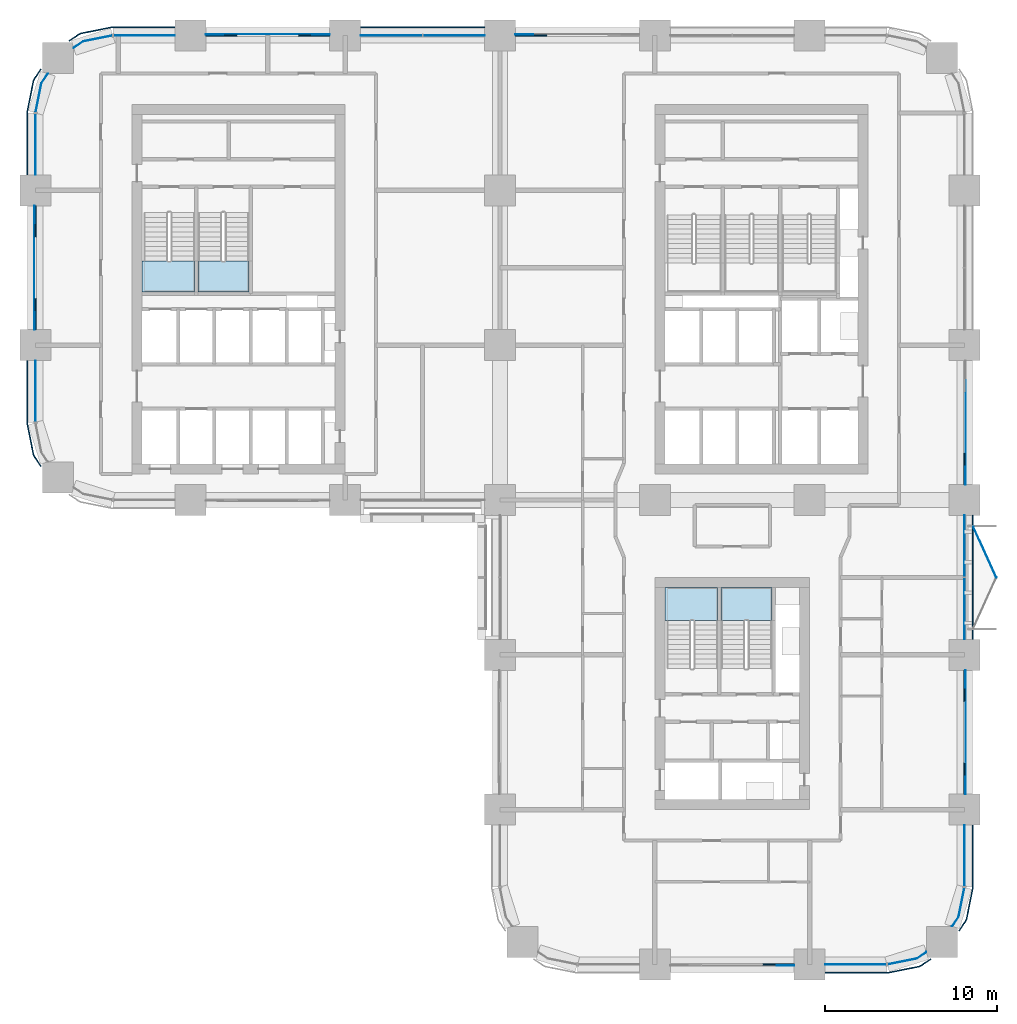
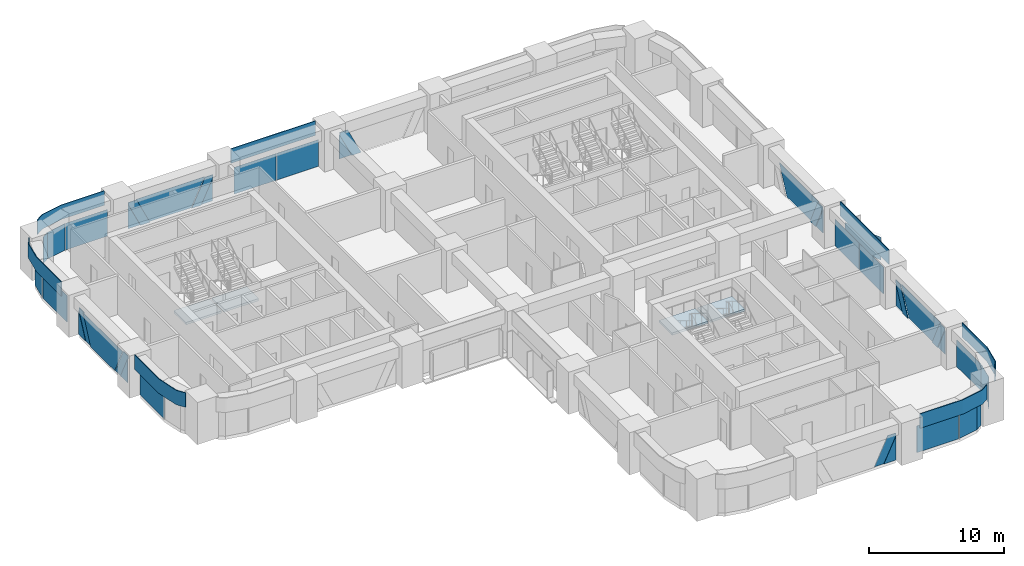
# One storey, part 10 of 18: 43 plates, 4 slabs, 17 elements without a shape of their own.
"""IFC4 building model written with IfcOpenShell, lengths in metres."""

import ifcopenshell
import ifcopenshell.guid

model = None  # the IFC model being written
_history = None  # IfcOwnerHistory: only IFC2X3 demands one
_inside = {}  # id of a spatial element -> (the spatial element, [elements in it])
_under = {}  # id of a project, library or spatial element -> (it, [spatial elements below it])
_declared = {}  # id of a project -> (the project, [libraries it declares])
_typed = {}  # id of a type object -> (the type object, [elements of that type])
_made_of = {}  # id of a material, layer set ... -> (it, [elements and type objects made of it])


def new_model(schema):
    """Start an empty IFC model of exactly this schema.

    Asked for "IFC4X3", IfcOpenShell would pick the latest addendum, in which some entities
    have other attributes; the version numbers below select the first issue.
    IFC2X3 requires an IfcOwnerHistory on every rooted entity: one is made here for all.
    """
    global model, _history
    if schema == "IFC4X3":
        model = ifcopenshell.file(schema_version=(4, 3, 0, 0))
    else:
        model = ifcopenshell.file(schema=schema)
    _inside.clear()
    _under.clear()
    _declared.clear()
    _typed.clear()
    _made_of.clear()
    _history = None
    if model.schema == "IFC2X3":
        org = make("IfcOrganization", Name="unknown")
        user = make(
            "IfcPersonAndOrganization",
            ThePerson=make("IfcPerson", FamilyName="unknown"),
            TheOrganization=org,
        )
        app = make(
            "IfcApplication",
            ApplicationDeveloper=org,
            Version="unknown",
            ApplicationFullName="unknown",
            ApplicationIdentifier="unknown",
        )
        _history = make(
            "IfcOwnerHistory",
            OwningUser=user,
            OwningApplication=app,
            ChangeAction="ADDED",
            CreationDate=0,
        )
    return model


def make(cls, **values):
    """One entity of the class cls with the attributes given. An attribute that is None is left unset."""
    return model.create_entity(
        cls, **{name: value for name, value in values.items() if value is not None}
    )


def rooted(cls, **values):
    """An entity with a GlobalId (a new one), such as an element, a storey or a relation."""
    return make(cls, GlobalId=ifcopenshell.guid.new(), OwnerHistory=_history, **values)


def si_unit(unit_type, name, prefix=None):
    """IfcSIUnit, for example si_unit("LENGTHUNIT", "METRE", prefix="MILLI")."""
    return make("IfcSIUnit", UnitType=unit_type, Prefix=prefix, Name=name)


def assignment(units):
    """IfcUnitAssignment: the units of a project."""
    return None if units is None else make("IfcUnitAssignment", Units=units)


def point(xyz):
    """IfcCartesianPoint."""
    return None if xyz is None else make("IfcCartesianPoint", Coordinates=xyz)


def direction(xyz):
    """IfcDirection."""
    return None if xyz is None else make("IfcDirection", DirectionRatios=xyz)


def frame(location, z_axis=None, x_axis=None):
    """IfcAxis2Placement3D, a coordinate frame: its origin and axes. An axis left out is left unset."""
    return make(
        "IfcAxis2Placement3D",
        Location=point(location),
        Axis=direction(z_axis),
        RefDirection=direction(x_axis),
    )


def frame_2d(location, x_axis=None):
    """IfcAxis2Placement2D, a coordinate frame in the plane: its origin and x axis."""
    return make(
        "IfcAxis2Placement2D", Location=point(location), RefDirection=direction(x_axis)
    )


def origin():
    """The frame at (0, 0, 0) with its axes left unset."""
    return frame((0.0, 0.0, 0.0))


def origin_2d():
    """The frame at (0, 0) in the plane with its x axis left unset."""
    return frame_2d((0.0, 0.0))


def place(relative_to, where):
    """IfcLocalPlacement: puts the frame where relative to a parent placement (None: the world)."""
    return make(
        "IfcLocalPlacement", PlacementRelTo=relative_to, RelativePlacement=where
    )


def context(
    kind, dimensions, precision=None, world=None, true_north=None, identifier=None
):
    """IfcGeometricRepresentationContext, for example the 3D "Model" context."""
    return make(
        "IfcGeometricRepresentationContext",
        ContextIdentifier=identifier,
        ContextType=kind,
        CoordinateSpaceDimension=dimensions,
        Precision=precision,
        WorldCoordinateSystem=world,
        TrueNorth=true_north,
    )


def subcontext(parent, identifier, kind, view, scale=None):
    """IfcGeometricRepresentationSubContext, for example "Body" below "Model"."""
    return make(
        "IfcGeometricRepresentationSubContext",
        ContextIdentifier=identifier,
        ContextType=kind,
        ParentContext=parent,
        TargetScale=scale,
        TargetView=view,
    )


def project(units=None, contexts=None):
    """IfcProject with its units and contexts."""
    return rooted(
        "IfcProject",
        Name="project",
        RepresentationContexts=contexts,
        UnitsInContext=assignment(units),
    )


def spatial(cls, under=None, at=None, **own):
    """A site, building, storey or space (cls), placed at a placement, below another one or the project."""
    s = rooted(cls, ObjectPlacement=at, **own)
    if under is not None:
        _under.setdefault(under.id(), (under, []))[1].append(s)
    return s


def polyline(points):
    """IfcPolyline through the points."""
    return make("IfcPolyline", Points=[point(p) for p in points])


def profile(cls, at=None, kind="AREA", **sizes):
    """A parametric profile (cls). Its sizes go by their IFC names, for example OverallWidth=200.0."""
    return make(cls, ProfileType=kind, Position=at, **sizes)


def rectangle(**sizes):
    """IfcRectangleProfileDef."""
    return profile("IfcRectangleProfileDef", **sizes)


def outline(outer, holes=None, kind="AREA"):
    """IfcArbitraryClosedProfileDef: a profile drawn as a closed curve; with holes, ...WithVoids."""
    if holes is None:
        return make("IfcArbitraryClosedProfileDef", ProfileType=kind, OuterCurve=outer)
    return make(
        "IfcArbitraryProfileDefWithVoids",
        ProfileType=kind,
        OuterCurve=outer,
        InnerCurves=holes,
    )


def extrude(swept, where, along, depth):
    """IfcExtrudedAreaSolid: the profile swept, set in the frame where, extruded along a direction by depth."""
    return make(
        "IfcExtrudedAreaSolid",
        SweptArea=swept,
        Position=where,
        ExtrudedDirection=direction(along),
        Depth=depth,
    )


def shape(context_of_items, identifier, shape_type, items):
    """IfcShapeRepresentation: the items that make up one representation, for example the "Body"."""
    return make(
        "IfcShapeRepresentation",
        ContextOfItems=context_of_items,
        RepresentationIdentifier=identifier,
        RepresentationType=shape_type,
        Items=items,
    )


def material(Name=None, Category=None):
    """IfcMaterial."""
    return make("IfcMaterial", Name=Name, Category=Category)


def layer(
    of_material, thickness, ventilated=None, Name=None, Category=None, Priority=None
):
    """IfcMaterialLayer: one layer of a wall or slab, of a material (None: an air gap)."""
    return make(
        "IfcMaterialLayer",
        Material=of_material,
        LayerThickness=thickness,
        IsVentilated=ventilated,
        Name=Name,
        Category=Category,
        Priority=Priority,
    )


def layer_set(layers, Name=None):
    """IfcMaterialLayerSet."""
    return make("IfcMaterialLayerSet", MaterialLayers=layers, LayerSetName=Name)


def made_of(thing, what):
    """Note that an element or type object is made of a material, layer set ...; save() writes the relation."""
    if what is not None:
        _made_of.setdefault(what.id(), (what, []))[1].append(thing)
    return thing


def type_object(cls, material=None, **own):
    """A type object (cls), such as IfcWallType, which elements share."""
    return made_of(rooted(cls, **own), material)


def element(
    cls,
    number,
    at=None,
    inside=None,
    cuts=None,
    type_object=None,
    material=None,
    context=None,
    identifier="Body",
    shape_type=None,
    held_by="IfcProductDefinitionShape",
    body=None,
    shapes=None,
    **own,
):
    """One element of the class cls, such as IfcWall. Its Tag is "e" and its number.

    at: its placement. inside: the storey or other place that contains it. cuts: it is an
    opening in that element (IfcRelVoidsElement). A single representation is given by context,
    identifier, shape_type and body (its items); several are given by shapes. held_by: the class
    of the entity that holds the representations. save() writes the other relations.
    """
    e = rooted(cls, Tag="e%d" % number, ObjectPlacement=at, **own)
    if body is not None:
        shapes = [shape(context, identifier, shape_type, body)]
    if shapes is not None:
        e.Representation = make(held_by, Representations=shapes)
    if inside is not None:
        _inside.setdefault(inside.id(), (inside, []))[1].append(e)
    if cuts is not None:
        rooted(
            "IfcRelVoidsElement", RelatingBuildingElement=cuts, RelatedOpeningElement=e
        )
    if type_object is not None:
        _typed.setdefault(type_object.id(), (type_object, []))[1].append(e)
    return made_of(e, material)


def aggregate(whole, parts):
    """IfcRelAggregates: a whole, such as a stair, and the parts it consists of."""
    return rooted("IfcRelAggregates", RelatingObject=whole, RelatedObjects=parts)


def save(model, path):
    """Write the relations noted so far, then the file.

    IfcRelAggregates (storeys below a building ...), IfcRelContainedInSpatialStructure (elements
    in a storey), IfcRelDefinesByType, IfcRelAssociatesMaterial and IfcRelDeclares: one each for
    every whole, place, type object, material and project.
    """
    for whole, parts in _under.values():
        aggregate(whole, parts)
    for where, things in _inside.values():
        rooted(
            "IfcRelContainedInSpatialStructure",
            RelatedElements=things,
            RelatingStructure=where,
        )
    for kind, things in _typed.values():
        rooted("IfcRelDefinesByType", RelatedObjects=things, RelatingType=kind)
    for what, things in _made_of.values():
        rooted("IfcRelAssociatesMaterial", RelatedObjects=things, RelatingMaterial=what)
    for by, libraries in _declared.values():
        rooted("IfcRelDeclares", RelatingContext=by, RelatedDefinitions=libraries)
    model.write(path)


model = new_model("IFC4")

# Units and contexts
model_context = context("Model", 3, precision=1e-05, world=origin(), true_north=direction((0.0, 1.0)))
body_context = subcontext(model_context, "Body", "Model", "MODEL_VIEW")
ifc_project = project(units=[si_unit("LENGTHUNIT", "METRE"), si_unit("AREAUNIT", "SQUARE_METRE"), si_unit("VOLUMEUNIT", "CUBIC_METRE"), si_unit("PLANEANGLEUNIT", "RADIAN"), si_unit("MASSUNIT", "GRAM", prefix="KILO")], contexts=[model_context])

# Site, building, storey
site_placement = place(None, origin())
site = spatial("IfcSite", under=ifc_project, at=site_placement, CompositionType="ELEMENT")
building_placement = place(site_placement, origin())
building = spatial("IfcBuilding", under=site, at=building_placement, Name="Tessera Arch", CompositionType="ELEMENT")
storey_placement = place(building_placement, frame((0.0, 0.0, 104.39990234375)))
storey = spatial("IfcBuildingStorey", under=building, at=storey_placement, Name="L24", CompositionType="ELEMENT", Elevation=104.39990234375)

# Curtain wall, plates
ifc_material_1 = material(Name="CW1 curtain wall")
curtain_wall_type_1 = type_object("IfcCurtainWallType", Name="CW1 curtain wall", PredefinedType="NOTDEFINED", material=ifc_material_1)
curtain_wall_1_placement = place(storey_placement, origin())
curtain_wall_1 = element("IfcCurtainWall", 1, at=curtain_wall_1_placement, inside=storey, type_object=curtain_wall_type_1, Name="CW1 curtain wall N54.0/2 L24", PredefinedType="NOTDEFINED")
ifc_material_2 = material(Name="Clear low-e glass", Category="glass")
ifc_material_3 = material(Name="Clear low-e glass", Category="glass")
ifc_layer_1 = layer(ifc_material_3, 0.028076171875)
ifc_layer_set_1 = layer_set([ifc_layer_1], Name="CW1 glass panel")
plate_type_1 = type_object("IfcPlateType", Name="CW1 glass panel", PredefinedType="CURTAIN_PANEL", material=ifc_layer_set_1)
plate_1_placement = place(storey_placement, frame((24.31494140625, 54.0, 0.000244140625), z_axis=(0.0, 0.0, 1.0), x_axis=(-1.0, 0.0, 0.0)))
plate_1 = element("IfcPlate", 2, at=plate_1_placement, type_object=plate_type_1, material=ifc_material_2, Name="CW1 glass panel N54.0/2 1.1.1", PredefinedType="CURTAIN_PANEL", context=body_context, shape_type="SweptSolid", body=[
    extrude(rectangle(XDim=3.570068359375, YDim=0.028076171875, at=origin_2d()), origin(), (0.0, 0.0, 1.0), 2.39990234375),
])
plate_2_placement = place(storey_placement, frame((20.68505859375, 54.0, 0.000244140625), z_axis=(0.0, 0.0, 1.0), x_axis=(-1.0, 0.0, 0.0)))
plate_2 = element("IfcPlate", 3, at=plate_2_placement, type_object=plate_type_1, material=ifc_material_2, Name="CW1 glass panel N54.0/2 1.2.1", PredefinedType="CURTAIN_PANEL", context=body_context, shape_type="SweptSolid", body=[
    extrude(rectangle(XDim=3.570068359375, YDim=0.028076171875, at=origin_2d()), origin(), (0.0, 0.0, 1.0), 2.39990234375),
])

curtain_wall_2_placement = place(storey_placement, origin())
curtain_wall_2 = element("IfcCurtainWall", 4, at=curtain_wall_2_placement, inside=storey, type_object=curtain_wall_type_1, Name="CW1 curtain wall E54.0/2 L24", PredefinedType="NOTDEFINED")
plate_3_placement = place(storey_placement, frame((54.0, 20.68505859375, 0.000244140625), z_axis=(0.0, 0.0, 1.0), x_axis=(0.0, 1.0, 0.0)))
plate_3 = element("IfcPlate", 5, at=plate_3_placement, type_object=plate_type_1, material=ifc_material_2, Name="CW1 glass panel E54.0/2 1.1.1", PredefinedType="CURTAIN_PANEL", context=body_context, shape_type="SweptSolid", body=[
    extrude(rectangle(XDim=3.570068359375, YDim=0.028076171875, at=origin_2d()), origin(), (0.0, 0.0, 1.0), 2.39990234375),
])
plate_4_placement = place(storey_placement, frame((54.0, 24.31494140625, 0.000244140625), z_axis=(0.0, 0.0, 1.0), x_axis=(0.0, 1.0, 0.0)))
plate_4 = element("IfcPlate", 6, at=plate_4_placement, type_object=plate_type_1, material=ifc_material_2, Name="CW1 glass panel E54.0/2 1.2.1", PredefinedType="CURTAIN_PANEL", context=body_context, shape_type="SweptSolid", body=[
    extrude(rectangle(XDim=3.570068359375, YDim=0.028076171875, at=origin_2d()), origin(), (0.0, 0.0, 1.0), 2.39990234375),
])

# Plate
ifc_material_4 = material(Name="Pale anodised aluminium panel", Category="aluminium")
ifc_layer_2 = layer(ifc_material_4, 0.06005859375)
ifc_layer_set_2 = layer_set([ifc_layer_2], Name="CW1 spandrel panel")
plate_type_2 = type_object("IfcPlateType", Name="CW1 spandrel panel", PredefinedType="CURTAIN_PANEL", material=ifc_layer_set_2)
plate_5_placement = place(storey_placement, frame((22.5, 54.47998046875, 2.5), z_axis=(0.0, 0.0, 1.0), x_axis=(-1.0, 0.0, 0.0)))
plate_5 = element("IfcPlate", 7, at=plate_5_placement, type_object=plate_type_2, Name="CW1 spandrel panel N54.0/2", PredefinedType="CURTAIN_PANEL", context=body_context, shape_type="SweptSolid", body=[
    extrude(rectangle(XDim=7.199951171875, YDim=0.06005859375, at=origin_2d()), origin(), (0.0, 0.0, 1.0), 1.300048828125),
])

aggregate(curtain_wall_1, [plate_1, plate_2, plate_5])

plate_6_placement = place(storey_placement, frame((54.47998046875, 22.5, 2.5), z_axis=(0.0, 0.0, 1.0), x_axis=(0.0, 1.0, 0.0)))
plate_6 = element("IfcPlate", 8, at=plate_6_placement, type_object=plate_type_2, Name="CW1 spandrel panel E54.0/2", PredefinedType="CURTAIN_PANEL", context=body_context, shape_type="SweptSolid", body=[
    extrude(rectangle(XDim=7.199951171875, YDim=0.06005859375, at=origin_2d()), origin(), (0.0, 0.0, 1.0), 1.300048828125),
])

aggregate(curtain_wall_2, [plate_3, plate_4, plate_6])

# Curtain wall, plates
ifc_material_5 = material(Name="CW2 curtain wall")
curtain_wall_type_2 = type_object("IfcCurtainWallType", Name="CW2 curtain wall", PredefinedType="NOTDEFINED", material=ifc_material_5)
curtain_wall_3_placement = place(storey_placement, origin())
curtain_wall_3 = element("IfcCurtainWall", 9, at=curtain_wall_3_placement, inside=storey, type_object=curtain_wall_type_2, Name="CW2 curtain wall N54.0/4 L24", PredefinedType="NOTDEFINED")
ifc_material_6 = material(Name="Clear low-e glass", Category="glass")
ifc_layer_3 = layer(ifc_material_6, 0.028076171875)
ifc_layer_set_3 = layer_set([ifc_layer_3], Name="CW2 glass panel")
plate_type_3 = type_object("IfcPlateType", Name="CW2 glass panel", PredefinedType="CURTAIN_PANEL", material=ifc_layer_set_3)
plate_7_placement = place(storey_placement, frame((6.320068359375, 54.0, 0.000244140625), z_axis=(0.0, 0.0, 1.0), x_axis=(-1.0, 0.0, 0.0)))
plate_7 = element("IfcPlate", 10, at=plate_7_placement, type_object=plate_type_3, material=ifc_material_2, Name="CW2 glass panel N54.0/4 1.1", PredefinedType="CURTAIN_PANEL", context=body_context, shape_type="SweptSolid", body=[
    extrude(rectangle(XDim=3.56005859375, YDim=0.028076171875, at=origin_2d()), origin(), (0.0, 0.0, 1.0), 2.39990234375),
])
plate_8_placement = place(storey_placement, origin())
plate_8 = element("IfcPlate", 11, at=plate_8_placement, type_object=plate_type_3, material=ifc_material_2, Name="CW2 curved glass panel N54.0/4 2.1", PredefinedType="CURTAIN_PANEL", context=body_context, shape_type="SweptSolid", body=[
    extrude(outline(polyline([(2.783447265625, 53.644287109375), (4.46337890625, 53.978515625), (4.4580078125, 54.005859375), (2.7724609375, 53.670654296875), (2.210205078125, 53.294921875), (2.225830078125, 53.271728515625), (2.783447265625, 53.644287109375)])), origin(), (0.0, 0.0, 1.0), 2.400146484375),
])

curtain_wall_4_placement = place(storey_placement, origin())
curtain_wall_4 = element("IfcCurtainWall", 12, at=curtain_wall_4_placement, inside=storey, type_object=curtain_wall_type_2, Name="CW2 curtain wall W0.27/0 L24", PredefinedType="NOTDEFINED")
plate_9_placement = place(storey_placement, frame((0.0, 47.679931640625, 0.000244140625), z_axis=(0.0, 0.0, 1.0), x_axis=(0.0, -1.0, 0.0)))
plate_9 = element("IfcPlate", 13, at=plate_9_placement, type_object=plate_type_3, material=ifc_material_2, Name="CW2 glass panel W0.27/0 1.1", PredefinedType="CURTAIN_PANEL", context=body_context, shape_type="SweptSolid", body=[
    extrude(rectangle(XDim=3.56005859375, YDim=0.028076171875, at=origin_2d()), origin(), (0.0, 0.0, 1.0), 2.39990234375),
])
plate_10_placement = place(storey_placement, origin())
plate_10 = element("IfcPlate", 14, at=plate_10_placement, type_object=plate_type_3, material=ifc_material_2, Name="CW2 curved glass panel W0.27/0 2.1", PredefinedType="CURTAIN_PANEL", context=body_context, shape_type="SweptSolid", body=[
    extrude(outline(polyline([(0.355712890625, 51.216552734375), (0.728271484375, 51.774169921875), (0.705078125, 51.789794921875), (0.329345703125, 51.2275390625), (-0.005859375, 49.5419921875), (0.021484375, 49.53662109375), (0.355712890625, 51.216552734375)])), origin(), (0.0, 0.0, 1.0), 2.400146484375),
])

# Curtain wall, plate
curtain_wall_5_placement = place(storey_placement, origin())
curtain_wall_5 = element("IfcCurtainWall", 15, at=curtain_wall_5_placement, inside=storey, type_object=curtain_wall_type_2, Name="CW2 curtain wall W0.27/2 L24", PredefinedType="NOTDEFINED")
plate_11_placement = place(storey_placement, frame((0.0, 33.320068359375, 0.000244140625), z_axis=(0.0, 0.0, 1.0), x_axis=(0.0, -1.0, 0.0)))
plate_11 = element("IfcPlate", 16, at=plate_11_placement, type_object=plate_type_3, material=ifc_material_2, Name="CW2 glass panel W0.27/2 1.1", PredefinedType="CURTAIN_PANEL", context=body_context, shape_type="SweptSolid", body=[
    extrude(rectangle(XDim=3.56005859375, YDim=0.028076171875, at=origin_2d()), origin(), (0.0, 0.0, 1.0), 2.39990234375),
])

# Curtain wall, plates
curtain_wall_6_placement = place(storey_placement, origin())
curtain_wall_6 = element("IfcCurtainWall", 17, at=curtain_wall_6_placement, inside=storey, type_object=curtain_wall_type_2, Name="CW2 curtain wall S0.27/2 L24", PredefinedType="NOTDEFINED")
plate_12_placement = place(storey_placement, frame((47.679931640625, 0.0, 0.000244140625), z_axis=(0.0, 0.0, 1.0), x_axis=(1.0, 0.0, 0.0)))
plate_12 = element("IfcPlate", 18, at=plate_12_placement, type_object=plate_type_3, material=ifc_material_2, Name="CW2 glass panel S0.27/2 1.1", PredefinedType="CURTAIN_PANEL", context=body_context, shape_type="SweptSolid", body=[
    extrude(rectangle(XDim=3.56005859375, YDim=0.028076171875, at=origin_2d()), origin(), (0.0, 0.0, 1.0), 2.39990234375),
])
plate_13_placement = place(storey_placement, origin())
plate_13 = element("IfcPlate", 19, at=plate_13_placement, type_object=plate_type_3, material=ifc_material_2, Name="CW2 curved glass panel S0.27/2 2.1", PredefinedType="CURTAIN_PANEL", context=body_context, shape_type="SweptSolid", body=[
    extrude(outline(polyline([(51.216552734375, 0.355712890625), (49.53662109375, 0.021484375), (49.5419921875, -0.005859375), (51.2275390625, 0.329345703125), (51.789794921875, 0.705078125), (51.774169921875, 0.728271484375), (51.216552734375, 0.355712890625)])), origin(), (0.0, 0.0, 1.0), 2.400146484375),
])

curtain_wall_7_placement = place(storey_placement, origin())
curtain_wall_7 = element("IfcCurtainWall", 20, at=curtain_wall_7_placement, inside=storey, type_object=curtain_wall_type_2, Name="CW2 curtain wall E54.0/0 L24", PredefinedType="NOTDEFINED")
plate_14_placement = place(storey_placement, frame((54.0, 6.320068359375, 0.000244140625), z_axis=(0.0, 0.0, 1.0), x_axis=(0.0, 1.0, 0.0)))
plate_14 = element("IfcPlate", 21, at=plate_14_placement, type_object=plate_type_3, material=ifc_material_2, Name="CW2 glass panel E54.0/0 1.1", PredefinedType="CURTAIN_PANEL", context=body_context, shape_type="SweptSolid", body=[
    extrude(rectangle(XDim=3.56005859375, YDim=0.028076171875, at=origin_2d()), origin(), (0.0, 0.0, 1.0), 2.39990234375),
])
plate_15_placement = place(storey_placement, origin())
plate_15 = element("IfcPlate", 22, at=plate_15_placement, type_object=plate_type_3, material=ifc_material_2, Name="CW2 curved glass panel E54.0/0 2.1", PredefinedType="CURTAIN_PANEL", context=body_context, shape_type="SweptSolid", body=[
    extrude(outline(polyline([(53.644287109375, 2.783447265625), (53.271728515625, 2.225830078125), (53.294921875, 2.210205078125), (53.670654296875, 2.7724609375), (54.005859375, 4.4580078125), (53.978515625, 4.46337890625), (53.644287109375, 2.783447265625)])), origin(), (0.0, 0.0, 1.0), 2.400146484375),
])

# Plate
ifc_material_7 = material(Name="Pale anodised aluminium panel", Category="aluminium")
ifc_layer_4 = layer(ifc_material_7, 0.06005859375)
ifc_layer_set_4 = layer_set([ifc_layer_4], Name="CW2 spandrel panel")
plate_type_4 = type_object("IfcPlateType", Name="CW2 spandrel panel", PredefinedType="CURTAIN_PANEL", material=ifc_layer_set_4)
plate_16_placement = place(storey_placement, frame((0.0, 0.0, 2.5)))
plate_16 = element("IfcPlate", 23, at=plate_16_placement, type_object=plate_type_4, Name="CW2 spandrel panel N54.0/4", PredefinedType="CURTAIN_PANEL", context=body_context, shape_type="SweptSolid", body=[
    extrude(outline(polyline([(4.500732421875, 54.449951171875), (8.10009765625, 54.449951171875), (8.10009765625, 54.510009765625), (4.499267578125, 54.510009765625), (4.449951171875, 54.507568359375), (4.401123046875, 54.500244140625), (2.677734375, 54.157470703125), (2.6298828125, 54.1455078125), (2.582763671875, 54.128662109375), (2.537353515625, 54.107177734375), (2.4951171875, 54.08203125), (1.9345703125, 53.707275390625), (1.968017578125, 53.657470703125), (2.52734375, 54.03125), (2.565673828125, 54.05419921875), (2.605712890625, 54.0732421875), (2.647216796875, 54.088134765625), (2.69091796875, 54.09912109375), (4.411376953125, 54.441162109375), (4.455810546875, 54.44775390625), (4.500732421875, 54.449951171875)])), origin(), (0.0, 0.0, 1.0), 1.300048828125),
])

aggregate(curtain_wall_3, [plate_7, plate_8, plate_16])

plate_17_placement = place(storey_placement, frame((0.0, 0.0, 2.5)))
plate_17 = element("IfcPlate", 24, at=plate_17_placement, type_object=plate_type_4, Name="CW2 spandrel panel W0.27/0", PredefinedType="CURTAIN_PANEL", context=body_context, shape_type="SweptSolid", body=[
    extrude(outline(polyline([(-0.03125, 51.47265625), (0.342529296875, 52.031982421875), (0.292724609375, 52.0654296875), (-0.08203125, 51.5048828125), (-0.107177734375, 51.462646484375), (-0.128662109375, 51.417236328125), (-0.1455078125, 51.3701171875), (-0.157470703125, 51.322265625), (-0.500244140625, 49.598876953125), (-0.507568359375, 49.550048828125), (-0.510009765625, 49.500732421875), (-0.510009765625, 45.89990234375), (-0.449951171875, 45.89990234375), (-0.449951171875, 49.499267578125), (-0.44775390625, 49.544189453125), (-0.441162109375, 49.588623046875), (-0.09912109375, 51.30908203125), (-0.088134765625, 51.352783203125), (-0.0732421875, 51.394287109375), (-0.05419921875, 51.434326171875), (-0.03125, 51.47265625)])), origin(), (0.0, 0.0, 1.0), 1.300048828125),
])

aggregate(curtain_wall_4, [plate_9, plate_10, plate_17])

plate_18_placement = place(storey_placement, frame((0.0, 0.0, 2.5)))
plate_18 = element("IfcPlate", 25, at=plate_18_placement, type_object=plate_type_4, Name="CW2 spandrel panel W0.27/2", PredefinedType="CURTAIN_PANEL", context=body_context, shape_type="SweptSolid", body=[
    extrude(outline(polyline([(-0.449951171875, 31.500732421875), (-0.449951171875, 35.10009765625), (-0.510009765625, 35.10009765625), (-0.510009765625, 31.499267578125), (-0.507568359375, 31.449951171875), (-0.500244140625, 31.401123046875), (-0.157470703125, 29.677734375), (-0.1455078125, 29.6298828125), (-0.128662109375, 29.582763671875), (-0.107177734375, 29.537353515625), (-0.08203125, 29.4951171875), (0.292724609375, 28.9345703125), (0.342529296875, 28.968017578125), (-0.03125, 29.52734375), (-0.05419921875, 29.565673828125), (-0.0732421875, 29.605712890625), (-0.088134765625, 29.647216796875), (-0.09912109375, 29.69091796875), (-0.441162109375, 31.411376953125), (-0.44775390625, 31.455810546875), (-0.449951171875, 31.500732421875)])), origin(), (0.0, 0.0, 1.0), 1.300048828125),
])

aggregate(curtain_wall_5, [plate_11, plate_18])

plate_19_placement = place(storey_placement, frame((0.0, 0.0, 2.5)))
plate_19 = element("IfcPlate", 26, at=plate_19_placement, type_object=plate_type_4, Name="CW2 spandrel panel S0.27/2", PredefinedType="CURTAIN_PANEL", context=body_context, shape_type="SweptSolid", body=[
    extrude(outline(polyline([(49.499267578125, -0.449951171875), (45.89990234375, -0.449951171875), (45.89990234375, -0.510009765625), (49.500732421875, -0.510009765625), (49.550048828125, -0.507568359375), (49.598876953125, -0.500244140625), (51.322265625, -0.157470703125), (51.3701171875, -0.1455078125), (51.417236328125, -0.128662109375), (51.462646484375, -0.107177734375), (51.5048828125, -0.08203125), (52.0654296875, 0.292724609375), (52.031982421875, 0.342529296875), (51.47265625, -0.03125), (51.434326171875, -0.05419921875), (51.394287109375, -0.0732421875), (51.352783203125, -0.088134765625), (51.30908203125, -0.09912109375), (49.588623046875, -0.441162109375), (49.544189453125, -0.44775390625), (49.499267578125, -0.449951171875)])), origin(), (0.0, 0.0, 1.0), 1.300048828125),
])

aggregate(curtain_wall_6, [plate_12, plate_13, plate_19])

plate_20_placement = place(storey_placement, frame((0.0, 0.0, 2.5)))
plate_20 = element("IfcPlate", 27, at=plate_20_placement, type_object=plate_type_4, Name="CW2 spandrel panel E54.0/0", PredefinedType="CURTAIN_PANEL", context=body_context, shape_type="SweptSolid", body=[
    extrude(outline(polyline([(54.03125, 2.52734375), (53.657470703125, 1.968017578125), (53.707275390625, 1.9345703125), (54.08203125, 2.4951171875), (54.107177734375, 2.537353515625), (54.128662109375, 2.582763671875), (54.1455078125, 2.6298828125), (54.157470703125, 2.677734375), (54.500244140625, 4.401123046875), (54.507568359375, 4.449951171875), (54.510009765625, 4.499267578125), (54.510009765625, 8.10009765625), (54.449951171875, 8.10009765625), (54.449951171875, 4.500732421875), (54.44775390625, 4.455810546875), (54.441162109375, 4.411376953125), (54.09912109375, 2.69091796875), (54.088134765625, 2.647216796875), (54.0732421875, 2.605712890625), (54.05419921875, 2.565673828125), (54.03125, 2.52734375)])), origin(), (0.0, 0.0, 1.0), 1.300048828125),
])

aggregate(curtain_wall_7, [plate_14, plate_15, plate_20])

# Curtain wall, plate
ifc_material_8 = material(Name="CW3 curtain wall")
curtain_wall_type_3 = type_object("IfcCurtainWallType", Name="CW3 curtain wall", PredefinedType="NOTDEFINED", material=ifc_material_8)
curtain_wall_8_placement = place(storey_placement, origin())
curtain_wall_8 = element("IfcCurtainWall", 28, at=curtain_wall_8_placement, inside=storey, type_object=curtain_wall_type_3, Name="CW3 curtain wall N54.0/1 L24", PredefinedType="NOTDEFINED")
ifc_material_9 = material(Name="Pale anodised aluminium panel", Category="aluminium")
ifc_layer_5 = layer(ifc_material_9, 0.06005859375)
ifc_layer_set_5 = layer_set([ifc_layer_5], Name="CW3 diagonal panel")
plate_type_5 = type_object("IfcPlateType", Name="CW3 diagonal panel", PredefinedType="CURTAIN_PANEL", material=ifc_layer_set_5)
plate_21_placement = place(storey_placement, frame((27.89990234375, 54.030029296875, 2.400146484375), z_axis=(0.0, 1.0, 0.0), x_axis=(1.0, 0.0, 0.0)))
plate_21 = element("IfcPlate", 29, at=plate_21_placement, type_object=plate_type_5, Name="CW3 diagonal panel N54.0/1 1", PredefinedType="CURTAIN_PANEL", context=body_context, shape_type="SweptSolid", body=[
    extrude(outline(polyline([(0.0, 0.0), (0.683349609375, 0.0), (1.8203125, 2.400146484375), (1.02197265625, 2.400146484375), (0.0, 0.24267578125), (0.0, 0.0)])), origin(), (0.0, 0.0, -1.0), 0.06005859375),
])

# Curtain wall, plates
curtain_wall_9_placement = place(storey_placement, origin())
curtain_wall_9 = element("IfcCurtainWall", 30, at=curtain_wall_9_placement, inside=storey, type_object=curtain_wall_type_3, Name="CW3 curtain wall N54.0/3 L24", PredefinedType="NOTDEFINED")
plate_22_placement = place(storey_placement, frame((9.89990234375, 54.030029296875, 2.400146484375), z_axis=(0.0, 1.0, 0.0), x_axis=(1.0, 0.0, 0.0)))
plate_22 = element("IfcPlate", 31, at=plate_22_placement, type_object=plate_type_5, Name="CW3 diagonal panel N54.0/3 1", PredefinedType="CURTAIN_PANEL", context=body_context, shape_type="SweptSolid", body=[
    extrude(outline(polyline([(0.0, 0.0), (0.683349609375, 0.0), (1.8203125, 2.400146484375), (1.02197265625, 2.400146484375), (0.0, 0.24267578125), (0.0, 0.0)])), origin(), (0.0, 0.0, -1.0), 0.06005859375),
])
plate_23_placement = place(storey_placement, frame((17.10009765625, 54.030029296875, 2.400146484375), z_axis=(0.0, 1.0, 0.0), x_axis=(0.0, 0.0, -1.0)))
plate_23 = element("IfcPlate", 32, at=plate_23_placement, type_object=plate_type_5, Name="CW3 diagonal panel N54.0/3 2", PredefinedType="CURTAIN_PANEL", context=body_context, shape_type="SweptSolid", body=[
    extrude(outline(polyline([(0.0, 0.0), (0.24267578125, 0.0), (2.400146484375, 1.02197265625), (2.400146484375, 1.8203125), (0.0, 0.683349609375), (0.0, 0.0)])), origin(), (0.0, 0.0, -1.0), 0.06005859375),
])

curtain_wall_10_placement = place(storey_placement, origin())
curtain_wall_10 = element("IfcCurtainWall", 33, at=curtain_wall_10_placement, inside=storey, type_object=curtain_wall_type_3, Name="CW3 curtain wall W0.27/1 L24", PredefinedType="NOTDEFINED")
plate_24_placement = place(storey_placement, frame((-0.030029296875, 36.89990234375, 2.400146484375), z_axis=(-1.0, 0.0, 0.0), x_axis=(0.0, 1.0, 0.0)))
plate_24 = element("IfcPlate", 34, at=plate_24_placement, type_object=plate_type_5, Name="CW3 diagonal panel W0.27/1 1", PredefinedType="CURTAIN_PANEL", context=body_context, shape_type="SweptSolid", body=[
    extrude(outline(polyline([(0.0, 0.0), (0.683349609375, 0.0), (1.8203125, 2.400146484375), (1.02197265625, 2.400146484375), (0.0, 0.24267578125), (0.0, 0.0)])), origin(), (0.0, 0.0, -1.0), 0.06005859375),
])
plate_25_placement = place(storey_placement, frame((-0.030029296875, 44.10009765625, 2.400146484375), z_axis=(-1.0, 0.0, 0.0), x_axis=(0.0, 0.0, -1.0)))
plate_25 = element("IfcPlate", 35, at=plate_25_placement, type_object=plate_type_5, Name="CW3 diagonal panel W0.27/1 2", PredefinedType="CURTAIN_PANEL", context=body_context, shape_type="SweptSolid", body=[
    extrude(outline(polyline([(0.0, 0.0), (0.24267578125, 0.0), (2.400146484375, 1.02197265625), (2.400146484375, 1.8203125), (0.0, 0.683349609375), (0.0, 0.0)])), origin(), (0.0, 0.0, -1.0), 0.06005859375),
])

# Curtain wall, plate
curtain_wall_11_placement = place(storey_placement, origin())
curtain_wall_11 = element("IfcCurtainWall", 36, at=curtain_wall_11_placement, inside=storey, type_object=curtain_wall_type_3, Name="CW3 curtain wall S0.27/1 L24", PredefinedType="NOTDEFINED")
plate_26_placement = place(storey_placement, frame((44.10009765625, -0.030029296875, 2.400146484375), z_axis=(0.0, -1.0, 0.0), x_axis=(-1.0, 0.0, 0.0)))
plate_26 = element("IfcPlate", 37, at=plate_26_placement, type_object=plate_type_5, Name="CW3 diagonal panel S0.27/1 1", PredefinedType="CURTAIN_PANEL", context=body_context, shape_type="SweptSolid", body=[
    extrude(outline(polyline([(0.0, 0.0), (0.683349609375, 0.0), (1.8203125, 2.400146484375), (1.02197265625, 2.400146484375), (0.0, 0.24267578125), (0.0, 0.0)])), origin(), (0.0, 0.0, -1.0), 0.06005859375),
])

# Curtain wall, plates
curtain_wall_12_placement = place(storey_placement, origin())
curtain_wall_12 = element("IfcCurtainWall", 38, at=curtain_wall_12_placement, inside=storey, type_object=curtain_wall_type_3, Name="CW3 curtain wall E54.0/1 L24", PredefinedType="NOTDEFINED")
plate_27_placement = place(storey_placement, frame((54.030029296875, 17.10009765625, 2.400146484375), z_axis=(1.0, 0.0, 0.0), x_axis=(0.0, -1.0, 0.0)))
plate_27 = element("IfcPlate", 39, at=plate_27_placement, type_object=plate_type_5, Name="CW3 diagonal panel E54.0/1 1", PredefinedType="CURTAIN_PANEL", context=body_context, shape_type="SweptSolid", body=[
    extrude(outline(polyline([(0.0, 0.0), (0.683349609375, 0.0), (1.8203125, 2.400146484375), (1.02197265625, 2.400146484375), (0.0, 0.24267578125), (0.0, 0.0)])), origin(), (0.0, 0.0, -1.0), 0.06005859375),
])
plate_28_placement = place(storey_placement, frame((54.030029296875, 9.89990234375, 2.400146484375), z_axis=(1.0, 0.0, 0.0), x_axis=(0.0, 0.0, -1.0)))
plate_28 = element("IfcPlate", 40, at=plate_28_placement, type_object=plate_type_5, Name="CW3 diagonal panel E54.0/1 2", PredefinedType="CURTAIN_PANEL", context=body_context, shape_type="SweptSolid", body=[
    extrude(outline(polyline([(0.0, 0.0), (0.24267578125, 0.0), (2.400146484375, 1.02197265625), (2.400146484375, 1.8203125), (0.0, 0.683349609375), (0.0, 0.0)])), origin(), (0.0, 0.0, -1.0), 0.06005859375),
])

# Curtain wall, plate
curtain_wall_13_placement = place(storey_placement, origin())
curtain_wall_13 = element("IfcCurtainWall", 41, at=curtain_wall_13_placement, inside=storey, type_object=curtain_wall_type_3, Name="CW3 curtain wall E54.0/3 L24", PredefinedType="NOTDEFINED")
plate_29_placement = place(storey_placement, frame((54.030029296875, 27.89990234375, 2.400146484375), z_axis=(1.0, 0.0, 0.0), x_axis=(0.0, 0.0, -1.0)))
plate_29 = element("IfcPlate", 42, at=plate_29_placement, type_object=plate_type_5, Name="CW3 diagonal panel E54.0/3 2", PredefinedType="CURTAIN_PANEL", context=body_context, shape_type="SweptSolid", body=[
    extrude(outline(polyline([(0.0, 0.0), (0.24267578125, 0.0), (2.400146484375, 1.02197265625), (2.400146484375, 1.8203125), (0.0, 0.683349609375), (0.0, 0.0)])), origin(), (0.0, 0.0, -1.0), 0.06005859375),
])

# Plate
ifc_material_10 = material(Name="Clear low-e glass", Category="glass")
ifc_layer_6 = layer(ifc_material_10, 0.028076171875)
ifc_layer_set_6 = layer_set([ifc_layer_6], Name="CW3 glass panel")
plate_type_6 = type_object("IfcPlateType", Name="CW3 glass panel", PredefinedType="CURTAIN_PANEL", material=ifc_layer_set_6)
plate_30_placement = place(storey_placement, frame((27.89990234375, 54.05810546875, 0.0), z_axis=(0.0, 1.0, 0.0), x_axis=(0.0, 0.0, 1.0)))
plate_30 = element("IfcPlate", 43, at=plate_30_placement, type_object=plate_type_6, material=ifc_material_2, Name="CW3 triangulated glass panel N54.0/1 3", PredefinedType="CURTAIN_PANEL", context=body_context, shape_type="SweptSolid", body=[
    extrude(outline(polyline([(0.0, 0.0), (2.157470703125, 0.0), (0.0, 1.02197265625), (0.0, 0.0)])), origin(), (0.0, 0.0, -1.0), 0.028076171875),
])

aggregate(curtain_wall_8, [plate_30, plate_21])

plate_31_placement = place(storey_placement, frame((17.10009765625, 54.05810546875, 0.0), z_axis=(0.0, 1.0, 0.0), x_axis=(-1.0, 0.0, 0.0)))
plate_31 = element("IfcPlate", 44, at=plate_31_placement, type_object=plate_type_6, material=ifc_material_2, Name="CW3 triangulated glass panel N54.0/3 1", PredefinedType="CURTAIN_PANEL", context=body_context, shape_type="SweptSolid", body=[
    extrude(outline(polyline([(0.0, 0.0), (1.02197265625, 0.0), (0.0, 2.157470703125), (0.0, 0.0)])), origin(), (0.0, 0.0, -1.0), 0.028076171875),
])

plate_32_placement = place(storey_placement, frame((10.583251953125, 54.0859375, 2.400146484375), z_axis=(0.0, 1.0, 0.0), x_axis=(1.0, 0.0, 0.0)))
plate_32 = element("IfcPlate", 45, at=plate_32_placement, type_object=plate_type_6, material=ifc_material_2, Name="CW3 triangulated glass panel N54.0/3 2", PredefinedType="CURTAIN_PANEL", context=body_context, shape_type="SweptSolid", body=[
    extrude(outline(polyline([(0.0, 0.0), (5.83349609375, 0.0), (4.696533203125, 2.400146484375), (1.136962890625, 2.400146484375), (0.0, 0.0)])), origin(), (0.0, 0.0, -1.0), 0.028076171875),
])

plate_33_placement = place(storey_placement, frame((9.89990234375, 54.05810546875, 0.0), z_axis=(0.0, 1.0, 0.0), x_axis=(0.0, 0.0, 1.0)))
plate_33 = element("IfcPlate", 46, at=plate_33_placement, type_object=plate_type_6, material=ifc_material_2, Name="CW3 triangulated glass panel N54.0/3 3", PredefinedType="CURTAIN_PANEL", context=body_context, shape_type="SweptSolid", body=[
    extrude(outline(polyline([(0.0, 0.0), (2.157470703125, 0.0), (0.0, 1.02197265625), (0.0, 0.0)])), origin(), (0.0, 0.0, -1.0), 0.028076171875),
])

aggregate(curtain_wall_9, [plate_31, plate_32, plate_33, plate_22, plate_23])

plate_34_placement = place(storey_placement, frame((-0.05810546875, 44.10009765625, 0.0), z_axis=(-1.0, 0.0, 0.0), x_axis=(0.0, -1.0, 0.0)))
plate_34 = element("IfcPlate", 47, at=plate_34_placement, type_object=plate_type_6, material=ifc_material_2, Name="CW3 triangulated glass panel W0.27/1 1", PredefinedType="CURTAIN_PANEL", context=body_context, shape_type="SweptSolid", body=[
    extrude(outline(polyline([(0.0, 0.0), (1.02197265625, 0.0), (0.0, 2.157470703125), (0.0, 0.0)])), origin(), (0.0, 0.0, -1.0), 0.028076171875),
])

plate_35_placement = place(storey_placement, frame((-0.0859375, 37.583251953125, 2.400146484375), z_axis=(-1.0, 0.0, 0.0), x_axis=(0.0, 1.0, 0.0)))
plate_35 = element("IfcPlate", 48, at=plate_35_placement, type_object=plate_type_6, material=ifc_material_2, Name="CW3 triangulated glass panel W0.27/1 2", PredefinedType="CURTAIN_PANEL", context=body_context, shape_type="SweptSolid", body=[
    extrude(outline(polyline([(0.0, 0.0), (5.83349609375, 0.0), (4.696533203125, 2.400146484375), (1.136962890625, 2.400146484375), (0.0, 0.0)])), origin(), (0.0, 0.0, -1.0), 0.028076171875),
])

plate_36_placement = place(storey_placement, frame((-0.05810546875, 36.89990234375, 0.0), z_axis=(-1.0, 0.0, 0.0), x_axis=(0.0, 0.0, 1.0)))
plate_36 = element("IfcPlate", 49, at=plate_36_placement, type_object=plate_type_6, material=ifc_material_2, Name="CW3 triangulated glass panel W0.27/1 3", PredefinedType="CURTAIN_PANEL", context=body_context, shape_type="SweptSolid", body=[
    extrude(outline(polyline([(0.0, 0.0), (2.157470703125, 0.0), (0.0, 1.02197265625), (0.0, 0.0)])), origin(), (0.0, 0.0, -1.0), 0.028076171875),
])

aggregate(curtain_wall_10, [plate_34, plate_35, plate_36, plate_24, plate_25])

plate_37_placement = place(storey_placement, frame((44.10009765625, -0.05810546875, 0.0), z_axis=(0.0, -1.0, 0.0), x_axis=(0.0, 0.0, 1.0)))
plate_37 = element("IfcPlate", 50, at=plate_37_placement, type_object=plate_type_6, material=ifc_material_2, Name="CW3 triangulated glass panel S0.27/1 3", PredefinedType="CURTAIN_PANEL", context=body_context, shape_type="SweptSolid", body=[
    extrude(outline(polyline([(0.0, 0.0), (2.157470703125, 0.0), (0.0, 1.02197265625), (0.0, 0.0)])), origin(), (0.0, 0.0, -1.0), 0.028076171875),
])

aggregate(curtain_wall_11, [plate_37, plate_26])

plate_38_placement = place(storey_placement, frame((54.05810546875, 9.89990234375, 0.0), z_axis=(1.0, 0.0, 0.0), x_axis=(0.0, 1.0, 0.0)))
plate_38 = element("IfcPlate", 51, at=plate_38_placement, type_object=plate_type_6, material=ifc_material_2, Name="CW3 triangulated glass panel E54.0/1 1", PredefinedType="CURTAIN_PANEL", context=body_context, shape_type="SweptSolid", body=[
    extrude(outline(polyline([(0.0, 0.0), (1.02197265625, 0.0), (0.0, 2.157470703125), (0.0, 0.0)])), origin(), (0.0, 0.0, -1.0), 0.028076171875),
])

plate_39_placement = place(storey_placement, frame((54.0859375, 16.416748046875, 2.400146484375), z_axis=(1.0, 0.0, 0.0), x_axis=(0.0, -1.0, 0.0)))
plate_39 = element("IfcPlate", 52, at=plate_39_placement, type_object=plate_type_6, material=ifc_material_2, Name="CW3 triangulated glass panel E54.0/1 2", PredefinedType="CURTAIN_PANEL", context=body_context, shape_type="SweptSolid", body=[
    extrude(outline(polyline([(0.0, 0.0), (5.83349609375, 0.0), (4.696533203125, 2.400146484375), (1.136962890625, 2.400146484375), (0.0, 0.0)])), origin(), (0.0, 0.0, -1.0), 0.028076171875),
])

plate_40_placement = place(storey_placement, frame((54.05810546875, 17.10009765625, 0.0), z_axis=(1.0, 0.0, 0.0), x_axis=(0.0, 0.0, 1.0)))
plate_40 = element("IfcPlate", 53, at=plate_40_placement, type_object=plate_type_6, material=ifc_material_2, Name="CW3 triangulated glass panel E54.0/1 3", PredefinedType="CURTAIN_PANEL", context=body_context, shape_type="SweptSolid", body=[
    extrude(outline(polyline([(0.0, 0.0), (2.157470703125, 0.0), (0.0, 1.02197265625), (0.0, 0.0)])), origin(), (0.0, 0.0, -1.0), 0.028076171875),
])

aggregate(curtain_wall_12, [plate_38, plate_39, plate_40, plate_27, plate_28])

plate_41_placement = place(storey_placement, frame((54.05810546875, 27.89990234375, 0.0), z_axis=(1.0, 0.0, 0.0), x_axis=(0.0, 1.0, 0.0)))
plate_41 = element("IfcPlate", 54, at=plate_41_placement, type_object=plate_type_6, material=ifc_material_2, Name="CW3 triangulated glass panel E54.0/3 1", PredefinedType="CURTAIN_PANEL", context=body_context, shape_type="SweptSolid", body=[
    extrude(outline(polyline([(0.0, 0.0), (1.02197265625, 0.0), (0.0, 2.157470703125), (0.0, 0.0)])), origin(), (0.0, 0.0, -1.0), 0.028076171875),
])

plate_42_placement = place(storey_placement, frame((54.0859375, 34.416748046875, 2.400146484375), z_axis=(1.0, 0.0, 0.0), x_axis=(0.0, -1.0, 0.0)))
plate_42 = element("IfcPlate", 55, at=plate_42_placement, type_object=plate_type_6, material=ifc_material_2, Name="CW3 triangulated glass panel E54.0/3 2", PredefinedType="CURTAIN_PANEL", context=body_context, shape_type="SweptSolid", body=[
    extrude(outline(polyline([(0.0, 0.0), (5.83349609375, 0.0), (4.696533203125, 2.400146484375), (1.136962890625, 2.400146484375), (0.0, 0.0)])), origin(), (0.0, 0.0, -1.0), 0.028076171875),
])

aggregate(curtain_wall_13, [plate_41, plate_42, plate_29])

# Stair, slab
ifc_material_11 = material(Name="Concrete C40/50", Category="concrete")
stair_type = type_object("IfcStairType", Name="Dogleg stair 1400", PredefinedType="HALF_TURN_STAIR", material=ifc_material_11)
stair_1_placement = place(storey_placement, origin())
stair_1 = element("IfcStair", 56, at=stair_1_placement, inside=storey, type_object=stair_type, Name="L24 S2a", PredefinedType="HALF_TURN_STAIR")
ifc_material_12 = material(Name="Concrete C40/50", Category="concrete")
ifc_layer_7 = layer(ifc_material_12, 0.300048828125)
ifc_layer_set_7 = layer_set([ifc_layer_7], Name="Stair landing 300")
slab_type = type_object("IfcSlabType", Name="Stair landing 300", PredefinedType="LANDING", material=ifc_layer_set_7)
slab_1_placement = place(storey_placement, frame((0.0, 0.0, 1.7001953125)))
slab_1 = element("IfcSlab", 57, at=slab_1_placement, type_object=slab_type, Name="S2a landing 1", PredefinedType="LANDING", context=body_context, shape_type="SweptSolid", body=[
    extrude(outline(polyline([(6.199951171875, 40.89990234375), (6.199951171875, 39.10009765625), (9.25, 39.10009765625), (9.25, 40.89990234375), (6.199951171875, 40.89990234375)])), origin(), (0.0, 0.0, 1.0), 0.199951171875),
])
aggregate(stair_1, [slab_1])

stair_2_placement = place(storey_placement, origin())
stair_2 = element("IfcStair", 58, at=stair_2_placement, inside=storey, type_object=stair_type, Name="L24 S2b", PredefinedType="HALF_TURN_STAIR")
slab_2_placement = place(storey_placement, frame((0.0, 0.0, 1.7001953125)))
slab_2 = element("IfcSlab", 59, at=slab_2_placement, type_object=slab_type, Name="S2b landing 1", PredefinedType="LANDING", context=body_context, shape_type="SweptSolid", body=[
    extrude(outline(polyline([(9.449951171875, 40.89990234375), (9.449951171875, 39.10009765625), (12.39990234375, 39.10009765625), (12.39990234375, 40.89990234375), (9.449951171875, 40.89990234375)])), origin(), (0.0, 0.0, 1.0), 0.199951171875),
])
aggregate(stair_2, [slab_2])

stair_3_placement = place(storey_placement, origin())
stair_3 = element("IfcStair", 60, at=stair_3_placement, inside=storey, type_object=stair_type, Name="L24 S3a", PredefinedType="HALF_TURN_STAIR")
slab_3_placement = place(storey_placement, frame((0.0, 0.0, 1.7001953125)))
slab_3 = element("IfcSlab", 61, at=slab_3_placement, type_object=slab_type, Name="S3a landing 1", PredefinedType="LANDING", context=body_context, shape_type="SweptSolid", body=[
    extrude(outline(polyline([(39.64990234375, 20.0), (39.64990234375, 21.89990234375), (36.60009765625, 21.89990234375), (36.60009765625, 20.0), (39.64990234375, 20.0)])), origin(), (0.0, 0.0, 1.0), 0.199951171875),
])
aggregate(stair_3, [slab_3])

stair_4_placement = place(storey_placement, origin())
stair_4 = element("IfcStair", 62, at=stair_4_placement, inside=storey, type_object=stair_type, Name="L24 S3b", PredefinedType="HALF_TURN_STAIR")
slab_4_placement = place(storey_placement, frame((0.0, 0.0, 1.7001953125)))
slab_4 = element("IfcSlab", 63, at=slab_4_placement, type_object=slab_type, Name="S3b landing 1", PredefinedType="LANDING", context=body_context, shape_type="SweptSolid", body=[
    extrude(outline(polyline([(42.800048828125, 20.0), (42.800048828125, 21.89990234375), (39.85009765625, 21.89990234375), (39.85009765625, 20.0), (42.800048828125, 20.0)])), origin(), (0.0, 0.0, 1.0), 0.199951171875),
])
aggregate(stair_4, [slab_4])

# Plate
ifc_material_13 = material(Name="Clear low-e glass", Category="glass")
ifc_layer_8 = layer(ifc_material_13, 0.028076171875)
ifc_layer_set_8 = layer_set([ifc_layer_8], Name="Window box glass facet")
plate_type_7 = type_object("IfcPlateType", Name="Window box glass facet", PredefinedType="SHEET", material=ifc_layer_set_8)
plate_43_placement = place(storey_placement, frame((55.179931640625, 23.97509765625, 0.219970703125), z_axis=(0.0, 0.0, 1.0), x_axis=(0.413570397858, -0.910472144558, 0.0)))
element("IfcPlate", 64, at=plate_43_placement, inside=storey, type_object=plate_type_7, Name="Window box E54.0/2.0 2x1 glass", PredefinedType="SHEET", context=body_context, shape_type="SweptSolid", body=[
    extrude(rectangle(XDim=3.239990234375, YDim=0.028076171875, at=origin_2d()), origin(), (0.0, 0.0, 1.0), 2.06005859375),
])

save(model, "model.ifc")
